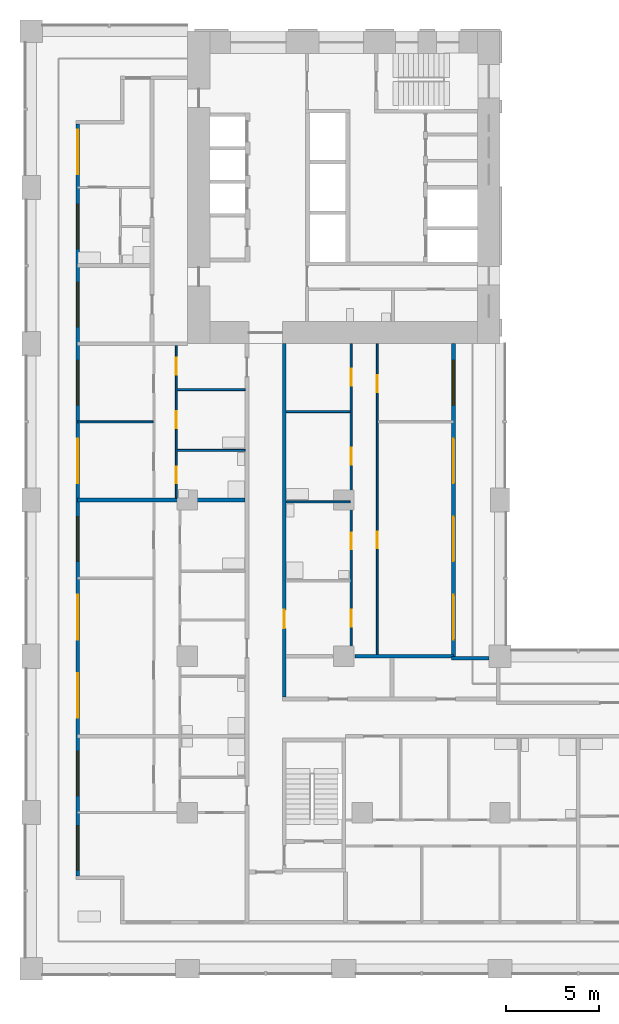
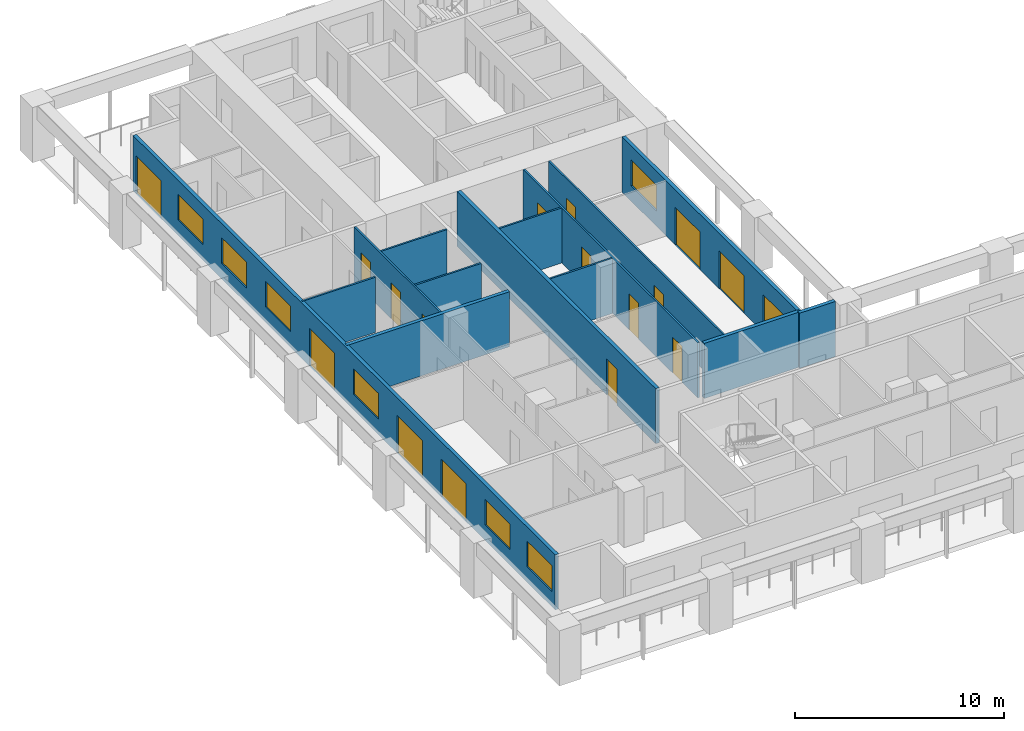
# One storey, part 4 of 17: 17 doors, 14 walls, 7 windows, 24 openings.
"""IFC4 building model written with IfcOpenShell, lengths in metres."""

from ifc_helpers import new_model, si_unit, direction, frame, frame_2d, origin, place, context, subcontext, project, spatial, rectangle, extrude, material, layer, layer_set, type_object, element, fill, save


model = new_model("IFC4")

# Units and contexts
model_context = context("Model", 3, precision=1e-05, world=origin(), true_north=direction((0.0, 1.0)))
body_context = subcontext(model_context, "Body", "Model", "MODEL_VIEW")
ifc_project = project(units=[si_unit("LENGTHUNIT", "METRE"), si_unit("AREAUNIT", "SQUARE_METRE"), si_unit("VOLUMEUNIT", "CUBIC_METRE"), si_unit("PLANEANGLEUNIT", "RADIAN"), si_unit("MASSUNIT", "GRAM", prefix="KILO")], contexts=[model_context])

# Site, building, storey
site_placement = place(None, origin())
site = spatial("IfcSite", under=ifc_project, at=site_placement, CompositionType="ELEMENT")
building_placement = place(site_placement, origin())
building = spatial("IfcBuilding", under=site, at=building_placement, Name="Vermilion Gate Residences", CompositionType="ELEMENT")
storey_placement = place(building_placement, frame((0.0, 0.0, 116.199951171875)))
storey = spatial("IfcBuildingStorey", under=building, at=storey_placement, Name="L29", CompositionType="ELEMENT", Elevation=116.199951171875)

# Wall, openings, doors, windows
ifc_material_1 = material(Name="Insulated steel stud wall with terracotta rainscreen", Category="masonry")
ifc_layer_1 = layer(ifc_material_1, 0.199951171875)
ifc_layer_set_1 = layer_set([ifc_layer_1], Name="EXTERNAL WALL 200 TERRACOTTA RAINSCREEN")
wall_type_1 = type_object("IfcWallType", Name="EXTERNAL WALL 200 TERRACOTTA RAINSCREEN", PredefinedType="SOLIDWALL", material=ifc_layer_set_1)
wall_1_placement = place(storey_placement, frame((2.5, 53.800048828125, 0.0), z_axis=(0.0, 0.0, 1.0), x_axis=(0.0, -1.0, 0.0)))
wall_1 = element("IfcWall", 1, at=wall_1_placement, inside=storey, type_object=wall_type_1, Name="External wall", PredefinedType="SOLIDWALL", context=body_context, shape_type="SweptSolid", body=[
    extrude(rectangle(XDim=40.400146484375, YDim=0.199951171875, at=frame_2d((20.2001953125, 0.0))), origin(), (0.0, 0.0, 1.0), 3.219970703125),
])
opening_1_placement = place(wall_1_placement, frame((37.699951171875, 0.0, 0.89990234375)))
opening_1 = element("IfcOpeningElement", 2, at=opening_1_placement, cuts=wall_1, Name="Opening WE29002", PredefinedType="OPENING", context=body_context, shape_type="SweptSolid", body=[
    extrude(rectangle(XDim=2.39990234375, YDim=1.5, at=frame_2d((1.199951171875, 0.75))), frame((0.0, 0.10986328125, 0.0), z_axis=(0.0, -1.0, 0.0), x_axis=(1.0, 0.0, 0.0)), (0.0, 0.0, 1.0), 0.219970703125),
])
opening_2_placement = place(wall_1_placement, frame((33.699951171875, 0.0, 0.89990234375)))
opening_2 = element("IfcOpeningElement", 3, at=opening_2_placement, cuts=wall_1, Name="Opening WE29003", PredefinedType="OPENING", context=body_context, shape_type="SweptSolid", body=[
    extrude(rectangle(XDim=2.39990234375, YDim=1.5, at=frame_2d((1.199951171875, 0.75))), frame((0.0, 0.10986328125, 0.0), z_axis=(0.0, -1.0, 0.0), x_axis=(1.0, 0.0, 0.0)), (0.0, 0.0, 1.0), 0.219970703125),
])
opening_3_placement = place(wall_1_placement, frame((29.5, 0.0, 0.0)))
opening_3 = element("IfcOpeningElement", 4, at=opening_3_placement, cuts=wall_1, Name="Opening DE29004", PredefinedType="OPENING", context=body_context, shape_type="SweptSolid", body=[
    extrude(rectangle(XDim=2.39990234375, YDim=2.199951171875, at=frame_2d((1.199951171875, 1.10009765625))), frame((0.0, 0.10986328125, 0.0), z_axis=(0.0, -1.0, 0.0), x_axis=(1.0, 0.0, 0.0)), (0.0, 0.0, 1.0), 0.219970703125),
])
opening_4_placement = place(wall_1_placement, frame((25.300048828125, 0.0, 0.0)))
opening_4 = element("IfcOpeningElement", 5, at=opening_4_placement, cuts=wall_1, Name="Opening DE29005", PredefinedType="OPENING", context=body_context, shape_type="SweptSolid", body=[
    extrude(rectangle(XDim=2.39990234375, YDim=2.199951171875, at=frame_2d((1.199951171875, 1.10009765625))), frame((0.0, 0.10986328125, 0.0), z_axis=(0.0, -1.0, 0.0), x_axis=(1.0, 0.0, 0.0)), (0.0, 0.0, 1.0), 0.219970703125),
])
opening_5_placement = place(wall_1_placement, frame((21.10009765625, 0.0, 0.89990234375)))
opening_5 = element("IfcOpeningElement", 6, at=opening_5_placement, cuts=wall_1, Name="Opening WE29006", PredefinedType="OPENING", context=body_context, shape_type="SweptSolid", body=[
    extrude(rectangle(XDim=2.39990234375, YDim=1.5, at=frame_2d((1.199951171875, 0.75))), frame((0.0, 0.10986328125, 0.0), z_axis=(0.0, -1.0, 0.0), x_axis=(1.0, 0.0, 0.0)), (0.0, 0.0, 1.0), 0.219970703125),
])
opening_6_placement = place(wall_1_placement, frame((16.89990234375, 0.0, 0.0)))
opening_6 = element("IfcOpeningElement", 7, at=opening_6_placement, cuts=wall_1, Name="Opening DE29007", PredefinedType="OPENING", context=body_context, shape_type="SweptSolid", body=[
    extrude(rectangle(XDim=2.39990234375, YDim=2.199951171875, at=frame_2d((1.199951171875, 1.10009765625))), frame((0.0, 0.10986328125, 0.0), z_axis=(0.0, -1.0, 0.0), x_axis=(1.0, 0.0, 0.0)), (0.0, 0.0, 1.0), 0.219970703125),
])
opening_7_placement = place(wall_1_placement, frame((12.699951171875, 0.0, 0.89990234375)))
opening_7 = element("IfcOpeningElement", 8, at=opening_7_placement, cuts=wall_1, Name="Opening WE29008", PredefinedType="OPENING", context=body_context, shape_type="SweptSolid", body=[
    extrude(rectangle(XDim=2.39990234375, YDim=1.5, at=frame_2d((1.199951171875, 0.75))), frame((0.0, 0.10986328125, 0.0), z_axis=(0.0, -1.0, 0.0), x_axis=(1.0, 0.0, 0.0)), (0.0, 0.0, 1.0), 0.219970703125),
])
opening_8_placement = place(wall_1_placement, frame((8.5, 0.0, 0.89990234375)))
opening_8 = element("IfcOpeningElement", 9, at=opening_8_placement, cuts=wall_1, Name="Opening WE29009", PredefinedType="OPENING", context=body_context, shape_type="SweptSolid", body=[
    extrude(rectangle(XDim=2.39990234375, YDim=1.5, at=frame_2d((1.199951171875, 0.75))), frame((0.0, 0.10986328125, 0.0), z_axis=(0.0, -1.0, 0.0), x_axis=(1.0, 0.0, 0.0)), (0.0, 0.0, 1.0), 0.219970703125),
])
opening_9_placement = place(wall_1_placement, frame((4.300048828125, 0.0, 0.89990234375)))
opening_9 = element("IfcOpeningElement", 10, at=opening_9_placement, cuts=wall_1, Name="Opening WE29010", PredefinedType="OPENING", context=body_context, shape_type="SweptSolid", body=[
    extrude(rectangle(XDim=2.39990234375, YDim=1.5, at=frame_2d((1.199951171875, 0.75))), frame((0.0, 0.10986328125, 0.0), z_axis=(0.0, -1.0, 0.0), x_axis=(1.0, 0.0, 0.0)), (0.0, 0.0, 1.0), 0.219970703125),
])
opening_10_placement = place(wall_1_placement, frame((0.300048828125, 0.0, 0.0)))
opening_10 = element("IfcOpeningElement", 11, at=opening_10_placement, cuts=wall_1, Name="Opening DE29011", PredefinedType="OPENING", context=body_context, shape_type="SweptSolid", body=[
    extrude(rectangle(XDim=2.39990234375, YDim=2.199951171875, at=frame_2d((1.199951171875, 1.10009765625))), frame((0.0, 0.10986328125, 0.0), z_axis=(0.0, -1.0, 0.0), x_axis=(1.0, 0.0, 0.0)), (0.0, 0.0, 1.0), 0.219970703125),
])
ifc_material_2 = material(Name="Aluminium and clear glass", Category="aluminium")
door_type_1 = type_object("IfcDoorType", Name="SLIDING GLAZED DOOR 2400 X 2200", OperationType="DOUBLE_DOOR_SLIDING", PredefinedType="DOOR", material=ifc_material_2)
door_1_placement = place(opening_3_placement, origin())
door_1 = element("IfcDoor", 12, at=door_1_placement, inside=storey, type_object=door_type_1, Name="Loggia sliding door", OperationType="DOUBLE_DOOR_SLIDING", OverallHeight=2.199951171875, OverallWidth=2.39990234375, PredefinedType="DOOR", context=body_context, shape_type="SweptSolid", body=[
    extrude(rectangle(XDim=2.39990234375, YDim=2.199951171875, at=frame_2d((1.199951171875, 1.10009765625))), frame((0.0, 0.02490234375, 0.0), z_axis=(0.0, -1.0, 0.0), x_axis=(1.0, 0.0, 0.0)), (0.0, 0.0, 1.0), 0.050048828125),
])
fill(opening_3, door_1)
door_2_placement = place(opening_4_placement, origin())
door_2 = element("IfcDoor", 13, at=door_2_placement, inside=storey, type_object=door_type_1, Name="Loggia sliding door", OperationType="DOUBLE_DOOR_SLIDING", OverallHeight=2.199951171875, OverallWidth=2.39990234375, PredefinedType="DOOR", context=body_context, shape_type="SweptSolid", body=[
    extrude(rectangle(XDim=2.39990234375, YDim=2.199951171875, at=frame_2d((1.199951171875, 1.10009765625))), frame((0.0, 0.02490234375, 0.0), z_axis=(0.0, -1.0, 0.0), x_axis=(1.0, 0.0, 0.0)), (0.0, 0.0, 1.0), 0.050048828125),
])
fill(opening_4, door_2)
door_3_placement = place(opening_6_placement, origin())
door_3 = element("IfcDoor", 14, at=door_3_placement, inside=storey, type_object=door_type_1, Name="Loggia sliding door", OperationType="DOUBLE_DOOR_SLIDING", OverallHeight=2.199951171875, OverallWidth=2.39990234375, PredefinedType="DOOR", context=body_context, shape_type="SweptSolid", body=[
    extrude(rectangle(XDim=2.39990234375, YDim=2.199951171875, at=frame_2d((1.199951171875, 1.10009765625))), frame((0.0, 0.02490234375, 0.0), z_axis=(0.0, -1.0, 0.0), x_axis=(1.0, 0.0, 0.0)), (0.0, 0.0, 1.0), 0.050048828125),
])
fill(opening_6, door_3)
door_4_placement = place(opening_10_placement, origin())
door_4 = element("IfcDoor", 15, at=door_4_placement, inside=storey, type_object=door_type_1, Name="Loggia sliding door", OperationType="DOUBLE_DOOR_SLIDING", OverallHeight=2.199951171875, OverallWidth=2.39990234375, PredefinedType="DOOR", context=body_context, shape_type="SweptSolid", body=[
    extrude(rectangle(XDim=2.39990234375, YDim=2.199951171875, at=frame_2d((1.199951171875, 1.10009765625))), frame((0.0, 0.02490234375, 0.0), z_axis=(0.0, -1.0, 0.0), x_axis=(1.0, 0.0, 0.0)), (0.0, 0.0, 1.0), 0.050048828125),
])
fill(opening_10, door_4)
ifc_material_3 = material(Name="Aluminium and clear glass", Category="aluminium")
window_type = type_object("IfcWindowType", Name="WINDOW 2400 X 1500", PartitioningType="SINGLE_PANEL", PredefinedType="WINDOW", material=ifc_material_3)
window_1_placement = place(opening_1_placement, origin())
window_1 = element("IfcWindow", 16, at=window_1_placement, inside=storey, type_object=window_type, Name="Window", OverallHeight=1.5, OverallWidth=2.39990234375, PartitioningType="SINGLE_PANEL", PredefinedType="WINDOW", context=body_context, shape_type="SweptSolid", body=[
    extrude(rectangle(XDim=2.39990234375, YDim=1.5, at=frame_2d((1.199951171875, 0.75))), frame((0.0, 0.030029296875, 0.0), z_axis=(0.0, -1.0, 0.0), x_axis=(1.0, 0.0, 0.0)), (0.0, 0.0, 1.0), 0.06005859375),
])
fill(opening_1, window_1)
window_2_placement = place(opening_2_placement, origin())
window_2 = element("IfcWindow", 17, at=window_2_placement, inside=storey, type_object=window_type, Name="Window", OverallHeight=1.5, OverallWidth=2.39990234375, PartitioningType="SINGLE_PANEL", PredefinedType="WINDOW", context=body_context, shape_type="SweptSolid", body=[
    extrude(rectangle(XDim=2.39990234375, YDim=1.5, at=frame_2d((1.199951171875, 0.75))), frame((0.0, 0.030029296875, 0.0), z_axis=(0.0, -1.0, 0.0), x_axis=(1.0, 0.0, 0.0)), (0.0, 0.0, 1.0), 0.06005859375),
])
fill(opening_2, window_2)
window_3_placement = place(opening_5_placement, origin())
window_3 = element("IfcWindow", 18, at=window_3_placement, inside=storey, type_object=window_type, Name="Window", OverallHeight=1.5, OverallWidth=2.39990234375, PartitioningType="SINGLE_PANEL", PredefinedType="WINDOW", context=body_context, shape_type="SweptSolid", body=[
    extrude(rectangle(XDim=2.39990234375, YDim=1.5, at=frame_2d((1.199951171875, 0.75))), frame((0.0, 0.030029296875, 0.0), z_axis=(0.0, -1.0, 0.0), x_axis=(1.0, 0.0, 0.0)), (0.0, 0.0, 1.0), 0.06005859375),
])
fill(opening_5, window_3)
window_4_placement = place(opening_7_placement, origin())
window_4 = element("IfcWindow", 19, at=window_4_placement, inside=storey, type_object=window_type, Name="Window", OverallHeight=1.5, OverallWidth=2.39990234375, PartitioningType="SINGLE_PANEL", PredefinedType="WINDOW", context=body_context, shape_type="SweptSolid", body=[
    extrude(rectangle(XDim=2.39990234375, YDim=1.5, at=frame_2d((1.199951171875, 0.75))), frame((0.0, 0.030029296875, 0.0), z_axis=(0.0, -1.0, 0.0), x_axis=(1.0, 0.0, 0.0)), (0.0, 0.0, 1.0), 0.06005859375),
])
fill(opening_7, window_4)
window_5_placement = place(opening_8_placement, origin())
window_5 = element("IfcWindow", 20, at=window_5_placement, inside=storey, type_object=window_type, Name="Window", OverallHeight=1.5, OverallWidth=2.39990234375, PartitioningType="SINGLE_PANEL", PredefinedType="WINDOW", context=body_context, shape_type="SweptSolid", body=[
    extrude(rectangle(XDim=2.39990234375, YDim=1.5, at=frame_2d((1.199951171875, 0.75))), frame((0.0, 0.030029296875, 0.0), z_axis=(0.0, -1.0, 0.0), x_axis=(1.0, 0.0, 0.0)), (0.0, 0.0, 1.0), 0.06005859375),
])
fill(opening_8, window_5)
window_6_placement = place(opening_9_placement, origin())
window_6 = element("IfcWindow", 21, at=window_6_placement, inside=storey, type_object=window_type, Name="Window", OverallHeight=1.5, OverallWidth=2.39990234375, PartitioningType="SINGLE_PANEL", PredefinedType="WINDOW", context=body_context, shape_type="SweptSolid", body=[
    extrude(rectangle(XDim=2.39990234375, YDim=1.5, at=frame_2d((1.199951171875, 0.75))), frame((0.0, 0.030029296875, 0.0), z_axis=(0.0, -1.0, 0.0), x_axis=(1.0, 0.0, 0.0)), (0.0, 0.0, 1.0), 0.06005859375),
])
fill(opening_9, window_6)

# Wall
wall_2_placement = place(storey_placement, frame((24.60009765625, 25.10009765625, 0.0), z_axis=(0.0, 0.0, 1.0), x_axis=(-1.0, 0.0, 0.0)))
element("IfcWall", 22, at=wall_2_placement, inside=storey, type_object=wall_type_1, Name="External wall", PredefinedType="SOLIDWALL", context=body_context, shape_type="SweptSolid", body=[
    extrude(rectangle(XDim=2.0, YDim=0.199951171875, at=frame_2d((1.0, 0.0))), origin(), (0.0, 0.0, 1.0), 3.219970703125),
])

# Wall, openings, doors, window
wall_3_placement = place(storey_placement, frame((22.699951171875, 25.199951171875, 0.0), z_axis=(0.0, 0.0, 1.0), x_axis=(0.0, 1.0, 0.0)))
wall_3 = element("IfcWall", 23, at=wall_3_placement, inside=storey, type_object=wall_type_1, Name="External wall", PredefinedType="SOLIDWALL", context=body_context, shape_type="SweptSolid", body=[
    extrude(rectangle(XDim=16.800048828125, YDim=0.199951171875, at=frame_2d((8.39990234375, 0.0))), origin(), (0.0, 0.0, 1.0), 3.219970703125),
])
opening_11_placement = place(wall_3_placement, frame((0.89990234375, 0.0, 0.0)))
opening_11 = element("IfcOpeningElement", 24, at=opening_11_placement, cuts=wall_3, Name="Opening DE29024", PredefinedType="OPENING", context=body_context, shape_type="SweptSolid", body=[
    extrude(rectangle(XDim=2.39990234375, YDim=2.199951171875, at=frame_2d((1.199951171875, 1.10009765625))), frame((0.0, 0.10986328125, 0.0), z_axis=(0.0, -1.0, 0.0), x_axis=(1.0, 0.0, 0.0)), (0.0, 0.0, 1.0), 0.219970703125),
])
opening_12_placement = place(wall_3_placement, frame((5.10009765625, 0.0, 0.0)))
opening_12 = element("IfcOpeningElement", 25, at=opening_12_placement, cuts=wall_3, Name="Opening DE29025", PredefinedType="OPENING", context=body_context, shape_type="SweptSolid", body=[
    extrude(rectangle(XDim=2.39990234375, YDim=2.199951171875, at=frame_2d((1.199951171875, 1.10009765625))), frame((0.0, 0.10986328125, 0.0), z_axis=(0.0, -1.0, 0.0), x_axis=(1.0, 0.0, 0.0)), (0.0, 0.0, 1.0), 0.219970703125),
])
opening_13_placement = place(wall_3_placement, frame((9.300048828125, 0.0, 0.0)))
opening_13 = element("IfcOpeningElement", 26, at=opening_13_placement, cuts=wall_3, Name="Opening DE29026", PredefinedType="OPENING", context=body_context, shape_type="SweptSolid", body=[
    extrude(rectangle(XDim=2.39990234375, YDim=2.199951171875, at=frame_2d((1.199951171875, 1.10009765625))), frame((0.0, 0.10986328125, 0.0), z_axis=(0.0, -1.0, 0.0), x_axis=(1.0, 0.0, 0.0)), (0.0, 0.0, 1.0), 0.219970703125),
])
opening_14_placement = place(wall_3_placement, frame((13.5, 0.0, 0.89990234375)))
opening_14 = element("IfcOpeningElement", 27, at=opening_14_placement, cuts=wall_3, Name="Opening WE29027", PredefinedType="OPENING", context=body_context, shape_type="SweptSolid", body=[
    extrude(rectangle(XDim=2.39990234375, YDim=1.5, at=frame_2d((1.199951171875, 0.75))), frame((0.0, 0.10986328125, 0.0), z_axis=(0.0, -1.0, 0.0), x_axis=(1.0, 0.0, 0.0)), (0.0, 0.0, 1.0), 0.219970703125),
])
door_5_placement = place(opening_11_placement, origin())
door_5 = element("IfcDoor", 28, at=door_5_placement, inside=storey, type_object=door_type_1, Name="Loggia sliding door", OperationType="DOUBLE_DOOR_SLIDING", OverallHeight=2.199951171875, OverallWidth=2.39990234375, PredefinedType="DOOR", context=body_context, shape_type="SweptSolid", body=[
    extrude(rectangle(XDim=2.39990234375, YDim=2.199951171875, at=frame_2d((1.199951171875, 1.10009765625))), frame((0.0, 0.02490234375, 0.0), z_axis=(0.0, -1.0, 0.0), x_axis=(1.0, 0.0, 0.0)), (0.0, 0.0, 1.0), 0.050048828125),
])
fill(opening_11, door_5)
door_6_placement = place(opening_12_placement, origin())
door_6 = element("IfcDoor", 29, at=door_6_placement, inside=storey, type_object=door_type_1, Name="Loggia sliding door", OperationType="DOUBLE_DOOR_SLIDING", OverallHeight=2.199951171875, OverallWidth=2.39990234375, PredefinedType="DOOR", context=body_context, shape_type="SweptSolid", body=[
    extrude(rectangle(XDim=2.39990234375, YDim=2.199951171875, at=frame_2d((1.199951171875, 1.10009765625))), frame((0.0, 0.02490234375, 0.0), z_axis=(0.0, -1.0, 0.0), x_axis=(1.0, 0.0, 0.0)), (0.0, 0.0, 1.0), 0.050048828125),
])
fill(opening_12, door_6)
door_7_placement = place(opening_13_placement, origin())
door_7 = element("IfcDoor", 30, at=door_7_placement, inside=storey, type_object=door_type_1, Name="Loggia sliding door", OperationType="DOUBLE_DOOR_SLIDING", OverallHeight=2.199951171875, OverallWidth=2.39990234375, PredefinedType="DOOR", context=body_context, shape_type="SweptSolid", body=[
    extrude(rectangle(XDim=2.39990234375, YDim=2.199951171875, at=frame_2d((1.199951171875, 1.10009765625))), frame((0.0, 0.02490234375, 0.0), z_axis=(0.0, -1.0, 0.0), x_axis=(1.0, 0.0, 0.0)), (0.0, 0.0, 1.0), 0.050048828125),
])
fill(opening_13, door_7)
window_7_placement = place(opening_14_placement, origin())
window_7 = element("IfcWindow", 31, at=window_7_placement, inside=storey, type_object=window_type, Name="Window", OverallHeight=1.5, OverallWidth=2.39990234375, PartitioningType="SINGLE_PANEL", PredefinedType="WINDOW", context=body_context, shape_type="SweptSolid", body=[
    extrude(rectangle(XDim=2.39990234375, YDim=1.5, at=frame_2d((1.199951171875, 0.75))), frame((0.0, 0.030029296875, 0.0), z_axis=(0.0, -1.0, 0.0), x_axis=(1.0, 0.0, 0.0)), (0.0, 0.0, 1.0), 0.06005859375),
])
fill(opening_14, window_7)

# Walls
ifc_material_4 = material(Name="Plasterboard on steel studs", Category="steel")
ifc_layer_2 = layer(ifc_material_4, 0.10009765625)
ifc_layer_set_2 = layer_set([ifc_layer_2], Name="PARTITION 100")
wall_type_2 = type_object("IfcWallType", Name="PARTITION 100", PredefinedType="PARTITIONING", material=ifc_layer_set_2)
wall_4_placement = place(storey_placement, frame((13.699951171875, 33.5, 0.0), z_axis=(0.0, 0.0, 1.0), x_axis=(1.0, 0.0, 0.0)))
element("IfcWall", 32, at=wall_4_placement, inside=storey, type_object=wall_type_2, Name="Partition", PredefinedType="PARTITIONING", context=body_context, shape_type="SweptSolid", body=[
    extrude(rectangle(XDim=3.449951171875, YDim=0.10009765625, at=frame_2d((1.72509765625, 0.0))), origin(), (0.0, 0.0, 1.0), 3.219970703125),
])
wall_5_placement = place(storey_placement, frame((7.85009765625, 36.26708984375, 0.0), z_axis=(0.0, 0.0, 1.0), x_axis=(1.0, 0.0, 0.0)))
element("IfcWall", 33, at=wall_5_placement, inside=storey, type_object=wall_type_2, Name="Partition", PredefinedType="PARTITIONING", context=body_context, shape_type="SweptSolid", body=[
    extrude(rectangle(XDim=3.64990234375, YDim=0.10009765625, at=frame_2d((1.824951171875, 0.0))), origin(), (0.0, 0.0, 1.0), 3.219970703125),
])
wall_6_placement = place(storey_placement, frame((2.5, 37.800048828125, 0.0), z_axis=(0.0, 0.0, 1.0), x_axis=(1.0, 0.0, 0.0)))
element("IfcWall", 34, at=wall_6_placement, inside=storey, type_object=wall_type_2, Name="Partition", PredefinedType="PARTITIONING", context=body_context, shape_type="SweptSolid", body=[
    extrude(rectangle(XDim=4.050048828125, YDim=0.10009765625, at=frame_2d((2.02490234375, 0.0))), origin(), (0.0, 0.0, 1.0), 3.219970703125),
])
wall_7_placement = place(storey_placement, frame((13.699951171875, 38.35009765625, 0.0), z_axis=(0.0, 0.0, 1.0), x_axis=(1.0, 0.0, 0.0)))
element("IfcWall", 35, at=wall_7_placement, inside=storey, type_object=wall_type_2, Name="Partition", PredefinedType="PARTITIONING", context=body_context, shape_type="SweptSolid", body=[
    extrude(rectangle(XDim=3.449951171875, YDim=0.10009765625, at=frame_2d((1.72509765625, 0.0))), origin(), (0.0, 0.0, 1.0), 3.219970703125),
])
wall_8_placement = place(storey_placement, frame((7.85009765625, 39.532958984375, 0.0), z_axis=(0.0, 0.0, 1.0), x_axis=(1.0, 0.0, 0.0)))
element("IfcWall", 36, at=wall_8_placement, inside=storey, type_object=wall_type_2, Name="Partition", PredefinedType="PARTITIONING", context=body_context, shape_type="SweptSolid", body=[
    extrude(rectangle(XDim=3.64990234375, YDim=0.10009765625, at=frame_2d((1.824951171875, 0.0))), origin(), (0.0, 0.0, 1.0), 3.219970703125),
])

# Wall, openings, doors
wall_9_placement = place(storey_placement, frame((7.800048828125, 33.699951171875, 0.0), z_axis=(0.0, 0.0, 1.0), x_axis=(0.0, 1.0, 0.0)))
wall_9 = element("IfcWall", 37, at=wall_9_placement, inside=storey, type_object=wall_type_2, Name="Partition", PredefinedType="PARTITIONING", context=body_context, shape_type="SweptSolid", body=[
    extrude(rectangle(XDim=8.199951171875, YDim=0.10009765625, at=frame_2d((4.10009765625, 0.0))), origin(), (0.0, 0.0, 1.0), 3.219970703125),
])
opening_15_placement = place(wall_9_placement, frame((6.633056640625, 0.0, 0.0)))
opening_15 = element("IfcOpeningElement", 38, at=opening_15_placement, cuts=wall_9, Name="Opening DA28029", PredefinedType="OPENING", context=body_context, shape_type="SweptSolid", body=[
    extrude(rectangle(XDim=0.89990234375, YDim=2.10009765625, at=frame_2d((0.449951171875, 1.050048828125))), frame((0.0, 0.06005859375, 0.0), z_axis=(0.0, -1.0, 0.0), x_axis=(1.0, 0.0, 0.0)), (0.0, 0.0, 1.0), 0.1201171875),
])
opening_16_placement = place(wall_9_placement, frame((0.800048828125, 0.0, 0.0)))
opening_16 = element("IfcOpeningElement", 39, at=opening_16_placement, cuts=wall_9, Name="Opening DA28030", PredefinedType="OPENING", context=body_context, shape_type="SweptSolid", body=[
    extrude(rectangle(XDim=0.89990234375, YDim=2.10009765625, at=frame_2d((0.449951171875, 1.050048828125))), frame((0.0, 0.06005859375, 0.0), z_axis=(0.0, -1.0, 0.0), x_axis=(1.0, 0.0, 0.0)), (0.0, 0.0, 1.0), 0.1201171875),
])
opening_17_placement = place(wall_9_placement, frame((3.76708984375, 0.0, 0.0)))
opening_17 = element("IfcOpeningElement", 40, at=opening_17_placement, cuts=wall_9, Name="Opening DA28031", PredefinedType="OPENING", context=body_context, shape_type="SweptSolid", body=[
    extrude(rectangle(XDim=0.89990234375, YDim=2.10009765625, at=frame_2d((0.449951171875, 1.050048828125))), frame((0.0, 0.06005859375, 0.0), z_axis=(0.0, -1.0, 0.0), x_axis=(1.0, 0.0, 0.0)), (0.0, 0.0, 1.0), 0.1201171875),
])
ifc_material_5 = material(Name="Timber", Category="wood")
door_type_2 = type_object("IfcDoorType", Name="INTERIOR DOOR 900 X 2100", OperationType="SINGLE_SWING_LEFT", PredefinedType="DOOR", material=ifc_material_5)
door_8_placement = place(opening_15_placement, frame((0.89990234375, 0.0, 0.0), z_axis=(0.0, 0.0, 1.0), x_axis=(-1.0, 0.0, 0.0)))
door_8 = element("IfcDoor", 41, at=door_8_placement, inside=storey, type_object=door_type_2, Name="Interior door", OperationType="SINGLE_SWING_LEFT", OverallHeight=2.10009765625, OverallWidth=0.89990234375, PredefinedType="DOOR", context=body_context, shape_type="SweptSolid", body=[
    extrude(rectangle(XDim=0.89990234375, YDim=2.10009765625, at=frame_2d((0.449951171875, 1.050048828125))), frame((0.0, 0.02490234375, 0.0), z_axis=(0.0, -1.0, 0.0), x_axis=(1.0, 0.0, 0.0)), (0.0, 0.0, 1.0), 0.050048828125),
])
fill(opening_15, door_8)
door_9_placement = place(opening_16_placement, frame((0.89990234375, 0.0, 0.0), z_axis=(0.0, 0.0, 1.0), x_axis=(-1.0, 0.0, 0.0)))
door_9 = element("IfcDoor", 42, at=door_9_placement, inside=storey, type_object=door_type_2, Name="Interior door", OperationType="SINGLE_SWING_RIGHT", OverallHeight=2.10009765625, OverallWidth=0.89990234375, PredefinedType="DOOR", context=body_context, shape_type="SweptSolid", body=[
    extrude(rectangle(XDim=0.89990234375, YDim=2.10009765625, at=frame_2d((0.449951171875, 1.050048828125))), frame((0.0, 0.02490234375, 0.0), z_axis=(0.0, -1.0, 0.0), x_axis=(1.0, 0.0, 0.0)), (0.0, 0.0, 1.0), 0.050048828125),
])
fill(opening_16, door_9)
door_10_placement = place(opening_17_placement, frame((0.89990234375, 0.0, 0.0), z_axis=(0.0, 0.0, 1.0), x_axis=(-1.0, 0.0, 0.0)))
door_10 = element("IfcDoor", 43, at=door_10_placement, inside=storey, type_object=door_type_2, Name="Interior door", OperationType="SINGLE_SWING_LEFT", OverallHeight=2.10009765625, OverallWidth=0.89990234375, PredefinedType="DOOR", context=body_context, shape_type="SweptSolid", body=[
    extrude(rectangle(XDim=0.89990234375, YDim=2.10009765625, at=frame_2d((0.449951171875, 1.050048828125))), frame((0.0, 0.02490234375, 0.0), z_axis=(0.0, -1.0, 0.0), x_axis=(1.0, 0.0, 0.0)), (0.0, 0.0, 1.0), 0.050048828125),
])
fill(opening_17, door_10)

wall_10_placement = place(storey_placement, frame((17.199951171875, 25.300048828125, 0.0), z_axis=(0.0, 0.0, 1.0), x_axis=(0.0, 1.0, 0.0)))
wall_10 = element("IfcWall", 44, at=wall_10_placement, inside=storey, type_object=wall_type_2, Name="Partition", PredefinedType="PARTITIONING", context=body_context, shape_type="SweptSolid", body=[
    extrude(rectangle(XDim=16.699951171875, YDim=0.10009765625, at=frame_2d((8.35009765625, 0.0))), origin(), (0.0, 0.0, 1.0), 3.219970703125),
])
opening_18_placement = place(wall_10_placement, frame((1.5, 0.0, 0.0)))
opening_18 = element("IfcOpeningElement", 45, at=opening_18_placement, cuts=wall_10, Name="Opening DA28042", PredefinedType="OPENING", context=body_context, shape_type="SweptSolid", body=[
    extrude(rectangle(XDim=0.89990234375, YDim=2.10009765625, at=frame_2d((0.449951171875, 1.050048828125))), frame((0.0, 0.06005859375, 0.0), z_axis=(0.0, -1.0, 0.0), x_axis=(1.0, 0.0, 0.0)), (0.0, 0.0, 1.0), 0.1201171875),
])
opening_19_placement = place(wall_10_placement, frame((5.64990234375, 0.0, 0.0)))
opening_19 = element("IfcOpeningElement", 46, at=opening_19_placement, cuts=wall_10, Name="Opening DA28043", PredefinedType="OPENING", context=body_context, shape_type="SweptSolid", body=[
    extrude(rectangle(XDim=0.89990234375, YDim=2.10009765625, at=frame_2d((0.449951171875, 1.050048828125))), frame((0.0, 0.06005859375, 0.0), z_axis=(0.0, -1.0, 0.0), x_axis=(1.0, 0.0, 0.0)), (0.0, 0.0, 1.0), 0.1201171875),
])
opening_20_placement = place(wall_10_placement, frame((10.199951171875, 0.0, 0.0)))
opening_20 = element("IfcOpeningElement", 47, at=opening_20_placement, cuts=wall_10, Name="Opening DA28044", PredefinedType="OPENING", context=body_context, shape_type="SweptSolid", body=[
    extrude(rectangle(XDim=0.89990234375, YDim=2.10009765625, at=frame_2d((0.449951171875, 1.050048828125))), frame((0.0, 0.06005859375, 0.0), z_axis=(0.0, -1.0, 0.0), x_axis=(1.0, 0.0, 0.0)), (0.0, 0.0, 1.0), 0.1201171875),
])
opening_21_placement = place(wall_10_placement, frame((14.449951171875, 0.0, 0.0)))
opening_21 = element("IfcOpeningElement", 48, at=opening_21_placement, cuts=wall_10, Name="Opening DA28045", PredefinedType="OPENING", context=body_context, shape_type="SweptSolid", body=[
    extrude(rectangle(XDim=0.89990234375, YDim=2.10009765625, at=frame_2d((0.449951171875, 1.050048828125))), frame((0.0, 0.06005859375, 0.0), z_axis=(0.0, -1.0, 0.0), x_axis=(1.0, 0.0, 0.0)), (0.0, 0.0, 1.0), 0.1201171875),
])
door_11_placement = place(opening_18_placement, origin())
door_11 = element("IfcDoor", 49, at=door_11_placement, inside=storey, type_object=door_type_2, Name="Interior door", OperationType="SINGLE_SWING_LEFT", OverallHeight=2.10009765625, OverallWidth=0.89990234375, PredefinedType="DOOR", context=body_context, shape_type="SweptSolid", body=[
    extrude(rectangle(XDim=0.89990234375, YDim=2.10009765625, at=frame_2d((0.449951171875, 1.050048828125))), frame((0.0, 0.02490234375, 0.0), z_axis=(0.0, -1.0, 0.0), x_axis=(1.0, 0.0, 0.0)), (0.0, 0.0, 1.0), 0.050048828125),
])
fill(opening_18, door_11)
door_12_placement = place(opening_19_placement, origin())
door_12 = element("IfcDoor", 50, at=door_12_placement, inside=storey, type_object=door_type_2, Name="Interior door", OperationType="SINGLE_SWING_LEFT", OverallHeight=2.10009765625, OverallWidth=0.89990234375, PredefinedType="DOOR", context=body_context, shape_type="SweptSolid", body=[
    extrude(rectangle(XDim=0.89990234375, YDim=2.10009765625, at=frame_2d((0.449951171875, 1.050048828125))), frame((0.0, 0.02490234375, 0.0), z_axis=(0.0, -1.0, 0.0), x_axis=(1.0, 0.0, 0.0)), (0.0, 0.0, 1.0), 0.050048828125),
])
fill(opening_19, door_12)
door_13_placement = place(opening_20_placement, origin())
door_13 = element("IfcDoor", 51, at=door_13_placement, inside=storey, type_object=door_type_2, Name="Interior door", OperationType="SINGLE_SWING_LEFT", OverallHeight=2.10009765625, OverallWidth=0.89990234375, PredefinedType="DOOR", context=body_context, shape_type="SweptSolid", body=[
    extrude(rectangle(XDim=0.89990234375, YDim=2.10009765625, at=frame_2d((0.449951171875, 1.050048828125))), frame((0.0, 0.02490234375, 0.0), z_axis=(0.0, -1.0, 0.0), x_axis=(1.0, 0.0, 0.0)), (0.0, 0.0, 1.0), 0.050048828125),
])
fill(opening_20, door_13)
door_14_placement = place(opening_21_placement, origin())
door_14 = element("IfcDoor", 52, at=door_14_placement, inside=storey, type_object=door_type_2, Name="Interior door", OperationType="SINGLE_SWING_LEFT", OverallHeight=2.10009765625, OverallWidth=0.89990234375, PredefinedType="DOOR", context=body_context, shape_type="SweptSolid", body=[
    extrude(rectangle(XDim=0.89990234375, YDim=2.10009765625, at=frame_2d((0.449951171875, 1.050048828125))), frame((0.0, 0.02490234375, 0.0), z_axis=(0.0, -1.0, 0.0), x_axis=(1.0, 0.0, 0.0)), (0.0, 0.0, 1.0), 0.050048828125),
])
fill(opening_21, door_14)

wall_11_placement = place(storey_placement, frame((18.60009765625, 25.300048828125, 0.0), z_axis=(0.0, 0.0, 1.0), x_axis=(0.0, 1.0, 0.0)))
wall_11 = element("IfcWall", 53, at=wall_11_placement, inside=storey, type_object=wall_type_2, Name="Partition", PredefinedType="PARTITIONING", context=body_context, shape_type="SweptSolid", body=[
    extrude(rectangle(XDim=16.699951171875, YDim=0.10009765625, at=frame_2d((8.35009765625, 0.0))), origin(), (0.0, 0.0, 1.0), 3.219970703125),
])
opening_22_placement = place(wall_11_placement, frame((5.699951171875, 0.0, 0.0)))
opening_22 = element("IfcOpeningElement", 54, at=opening_22_placement, cuts=wall_11, Name="Opening DA28046", PredefinedType="OPENING", context=body_context, shape_type="SweptSolid", body=[
    extrude(rectangle(XDim=0.89990234375, YDim=2.10009765625, at=frame_2d((0.449951171875, 1.050048828125))), frame((0.0, 0.06005859375, 0.0), z_axis=(0.0, -1.0, 0.0), x_axis=(1.0, 0.0, 0.0)), (0.0, 0.0, 1.0), 0.1201171875),
])
opening_23_placement = place(wall_11_placement, frame((14.10009765625, 0.0, 0.0)))
opening_23 = element("IfcOpeningElement", 55, at=opening_23_placement, cuts=wall_11, Name="Opening DA28047", PredefinedType="OPENING", context=body_context, shape_type="SweptSolid", body=[
    extrude(rectangle(XDim=0.89990234375, YDim=2.10009765625, at=frame_2d((0.449951171875, 1.050048828125))), frame((0.0, 0.06005859375, 0.0), z_axis=(0.0, -1.0, 0.0), x_axis=(1.0, 0.0, 0.0)), (0.0, 0.0, 1.0), 0.1201171875),
])
door_15_placement = place(opening_22_placement, frame((0.89990234375, 0.0, 0.0), z_axis=(0.0, 0.0, 1.0), x_axis=(-1.0, 0.0, 0.0)))
door_15 = element("IfcDoor", 56, at=door_15_placement, inside=storey, type_object=door_type_2, Name="Interior door", OperationType="SINGLE_SWING_RIGHT", OverallHeight=2.10009765625, OverallWidth=0.89990234375, PredefinedType="DOOR", context=body_context, shape_type="SweptSolid", body=[
    extrude(rectangle(XDim=0.89990234375, YDim=2.10009765625, at=frame_2d((0.449951171875, 1.050048828125))), frame((0.0, 0.02490234375, 0.0), z_axis=(0.0, -1.0, 0.0), x_axis=(1.0, 0.0, 0.0)), (0.0, 0.0, 1.0), 0.050048828125),
])
fill(opening_22, door_15)
door_16_placement = place(opening_23_placement, frame((0.89990234375, 0.0, 0.0), z_axis=(0.0, 0.0, 1.0), x_axis=(-1.0, 0.0, 0.0)))
door_16 = element("IfcDoor", 57, at=door_16_placement, inside=storey, type_object=door_type_2, Name="Interior door", OperationType="SINGLE_SWING_RIGHT", OverallHeight=2.10009765625, OverallWidth=0.89990234375, PredefinedType="DOOR", context=body_context, shape_type="SweptSolid", body=[
    extrude(rectangle(XDim=0.89990234375, YDim=2.10009765625, at=frame_2d((0.449951171875, 1.050048828125))), frame((0.0, 0.02490234375, 0.0), z_axis=(0.0, -1.0, 0.0), x_axis=(1.0, 0.0, 0.0)), (0.0, 0.0, 1.0), 0.050048828125),
])
fill(opening_23, door_16)

# Walls
ifc_material_6 = material(Name="Fire-rated plasterboard on steel studs", Category="steel")
ifc_layer_3 = layer(ifc_material_6, 0.199951171875)
ifc_layer_set_3 = layer_set([ifc_layer_3], Name="PARTY WALL 200 EI 120")
wall_type_3 = type_object("IfcWallType", Name="PARTY WALL 200 EI 120", PredefinedType="PARTITIONING", material=ifc_layer_set_3)
wall_12_placement = place(storey_placement, frame((17.39990234375, 25.199951171875, 0.0), z_axis=(0.0, 0.0, 1.0), x_axis=(1.0, 0.0, 0.0)))
element("IfcWall", 58, at=wall_12_placement, inside=storey, type_object=wall_type_3, Name="Party and corridor wall", PredefinedType="PARTITIONING", context=body_context, shape_type="SweptSolid", body=[
    extrude(rectangle(XDim=5.300048828125, YDim=0.199951171875, at=frame_2d((2.64990234375, 0.0))), origin(), (0.0, 0.0, 1.0), 3.219970703125),
])
wall_13_placement = place(storey_placement, frame((2.5, 33.60009765625, 0.0), z_axis=(0.0, 0.0, 1.0), x_axis=(1.0, 0.0, 0.0)))
element("IfcWall", 59, at=wall_13_placement, inside=storey, type_object=wall_type_3, Name="Party and corridor wall", PredefinedType="PARTITIONING", context=body_context, shape_type="SweptSolid", body=[
    extrude(rectangle(XDim=9.0, YDim=0.199951171875, at=frame_2d((4.5, 0.0))), origin(), (0.0, 0.0, 1.0), 3.219970703125),
])

# Wall, opening, door
wall_14_placement = place(storey_placement, frame((13.60009765625, 23.0, 0.0), z_axis=(0.0, 0.0, 1.0), x_axis=(0.0, 1.0, 0.0)))
wall_14 = element("IfcWall", 60, at=wall_14_placement, inside=storey, type_object=wall_type_3, Name="Party and corridor wall", PredefinedType="PARTITIONING", context=body_context, shape_type="SweptSolid", body=[
    extrude(rectangle(XDim=19.0, YDim=0.199951171875, at=frame_2d((9.5, 0.0))), origin(), (0.0, 0.0, 1.0), 3.219970703125),
])
opening_24_placement = place(wall_14_placement, frame((3.699951171875, 0.0, 0.0)))
opening_24 = element("IfcOpeningElement", 61, at=opening_24_placement, cuts=wall_14, Name="Opening DA28041", PredefinedType="OPENING", context=body_context, shape_type="SweptSolid", body=[
    extrude(rectangle(XDim=1.0, YDim=2.10009765625, at=frame_2d((0.5, 1.050048828125))), frame((0.0, 0.10986328125, 0.0), z_axis=(0.0, -1.0, 0.0), x_axis=(1.0, 0.0, 0.0)), (0.0, 0.0, 1.0), 0.219970703125),
])
ifc_material_7 = material(Name="Steel", Category="steel")
door_type_3 = type_object("IfcDoorType", Name="ENTRANCE DOOR 1000 X 2100 FD30", OperationType="SINGLE_SWING_LEFT", PredefinedType="DOOR", material=ifc_material_7)
door_17_placement = place(opening_24_placement, frame((1.0, 0.0, 0.0), z_axis=(0.0, 0.0, 1.0), x_axis=(-1.0, 0.0, 0.0)))
door_17 = element("IfcDoor", 62, at=door_17_placement, inside=storey, type_object=door_type_3, Name="Entrance door", OperationType="SINGLE_SWING_RIGHT", OverallHeight=2.10009765625, OverallWidth=1.0, PredefinedType="DOOR", context=body_context, shape_type="SweptSolid", body=[
    extrude(rectangle(XDim=1.0, YDim=2.10009765625, at=frame_2d((0.5, 1.050048828125))), frame((0.0, 0.02490234375, 0.0), z_axis=(0.0, -1.0, 0.0), x_axis=(1.0, 0.0, 0.0)), (0.0, 0.0, 1.0), 0.050048828125),
])
fill(opening_24, door_17)

save(model, "model.ifc")
